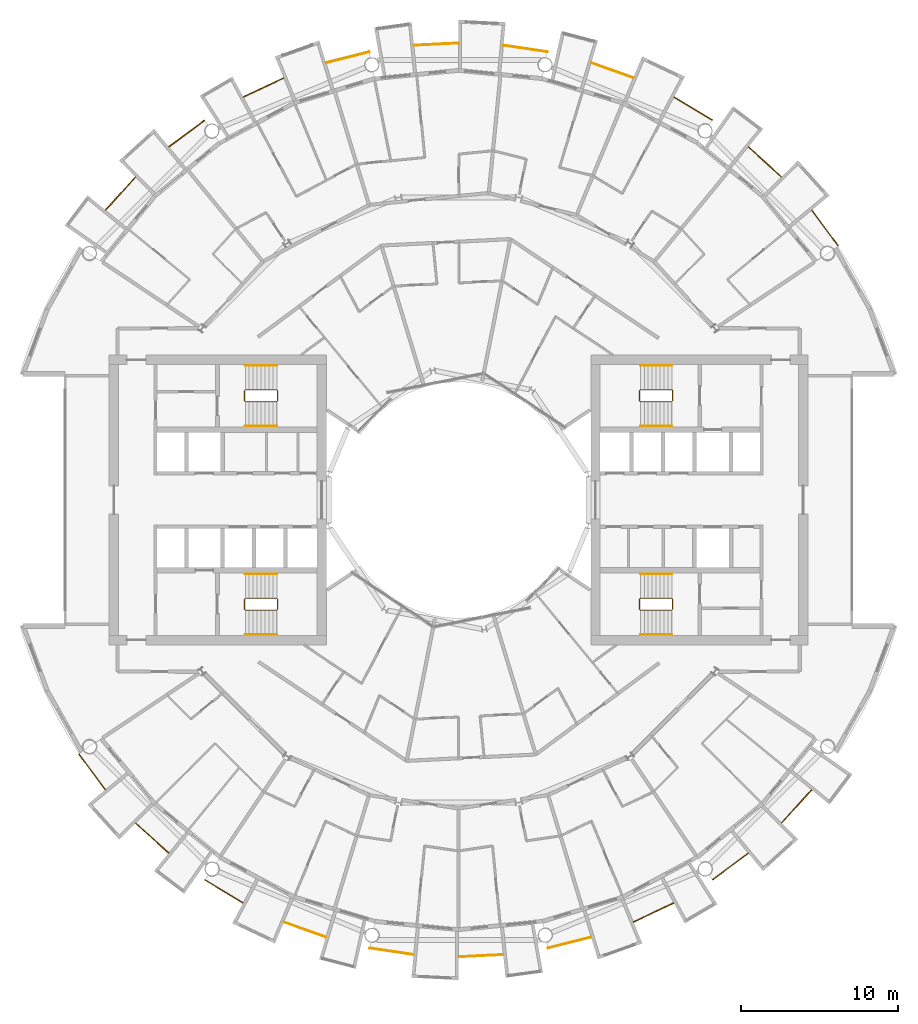
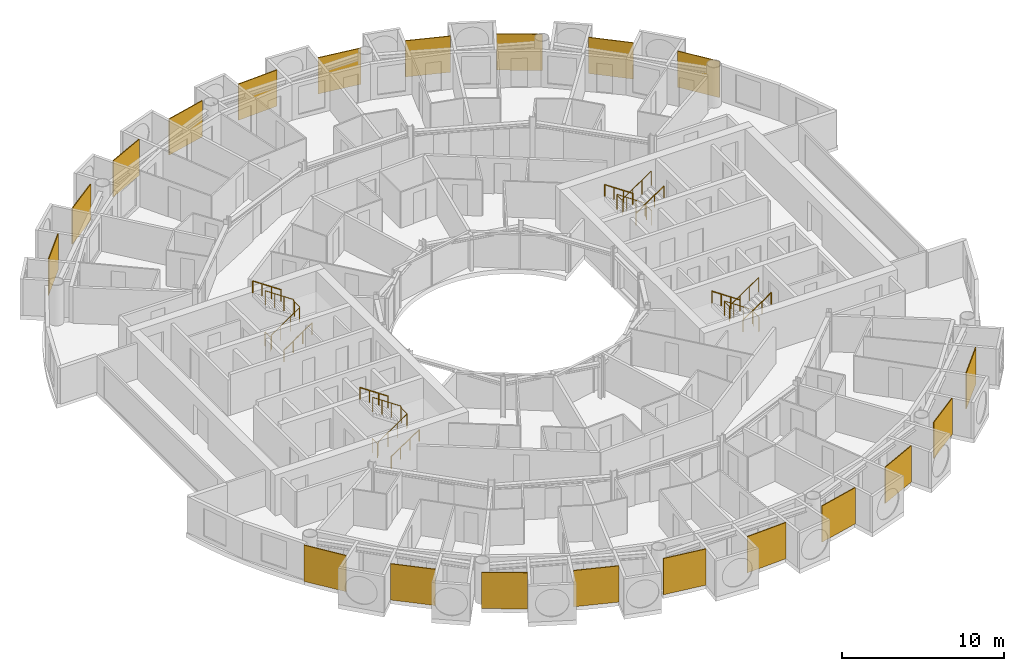
# One storey, part 26 of 26: 32 railings.
"""IFC4 building model written with IfcOpenShell, lengths in metres."""

from ifc_helpers import new_model, si_unit, direction, frame, origin, origin_2d, place, context, subcontext, project, spatial, polyline, circle, outline, extrude, material, layer, layer_set, type_object, element, save


model = new_model("IFC4")

# Units and contexts
model_context = context("Model", 3, precision=1e-05, world=origin(), true_north=direction((0.0, 1.0)))
body_context = subcontext(model_context, "Body", "Model", "MODEL_VIEW")
ifc_project = project(units=[si_unit("LENGTHUNIT", "METRE"), si_unit("AREAUNIT", "SQUARE_METRE"), si_unit("VOLUMEUNIT", "CUBIC_METRE"), si_unit("PLANEANGLEUNIT", "RADIAN"), si_unit("MASSUNIT", "GRAM", prefix="KILO")], contexts=[model_context])

# Site, building, storey
site_placement = place(None, origin())
site = spatial("IfcSite", under=ifc_project, at=site_placement, CompositionType="ELEMENT")
building_placement = place(site_placement, origin())
building = spatial("IfcBuilding", under=site, at=building_placement, Name="Maasbend Ring Residences", CompositionType="ELEMENT")
storey_placement = place(building_placement, frame((0.0, 0.0, 123.85009765625)))
storey = spatial("IfcBuildingStorey", under=building, at=storey_placement, Name="L35", CompositionType="ELEMENT", Elevation=123.85009765625)

# Railings
ifc_material_1 = material(Name="Pale anodised perforated aluminium", Category="aluminium")
ifc_layer = layer(ifc_material_1, 0.06005859375)
ifc_layer_set = layer_set([ifc_layer], Name="SCREEN-P")
railing_type_1 = type_object("IfcRailingType", Name="SCREEN-P", PredefinedType="GUARDRAIL", material=ifc_layer_set)
railing_1_placement = place(storey_placement, frame((0.0, 0.0, -0.030029296875)))
element("IfcRailing", 1, at=railing_1_placement, inside=storey, type_object=railing_type_1, Name="Perforated screen guard 1", PredefinedType="GUARDRAIL", context=body_context, shape_type="SweptSolid", body=[
    extrude(outline(polyline([(24.113037109375, 16.112060546875), (22.4169921875, 18.39697265625), (22.465087890625, 18.43310546875), (24.160888671875, 16.14697265625), (24.113037109375, 16.112060546875)])), origin(), (0.0, 0.0, 1.0), 2.72998046875),
])
railing_2_placement = place(storey_placement, frame((0.0, 0.0, -0.030029296875)))
element("IfcRailing", 2, at=railing_2_placement, inside=storey, type_object=railing_type_1, Name="Perforated screen guard 2", PredefinedType="GUARDRAIL", context=body_context, shape_type="SweptSolid", body=[
    extrude(outline(polyline([(20.506103515625, 20.506103515625), (18.39697265625, 22.4169921875), (18.43798828125, 22.4619140625), (20.5458984375, 20.551025390625), (20.506103515625, 20.506103515625)])), origin(), (0.0, 0.0, 1.0), 2.72998046875),
])
railing_3_placement = place(storey_placement, frame((0.0, 0.0, -0.030029296875)))
element("IfcRailing", 3, at=railing_3_placement, inside=storey, type_object=railing_type_1, Name="Perforated screen guard 3", PredefinedType="GUARDRAIL", context=body_context, shape_type="SweptSolid", body=[
    extrude(outline(polyline([(16.112060546875, 24.113037109375), (13.6708984375, 25.575927734375), (13.700927734375, 25.626953125), (16.14208984375, 24.1640625), (16.112060546875, 24.113037109375)])), origin(), (0.0, 0.0, 1.0), 2.72998046875),
])
railing_4_placement = place(storey_placement, frame((0.0, 0.0, -0.030029296875)))
element("IfcRailing", 4, at=railing_4_placement, inside=storey, type_object=railing_type_1, Name="Perforated screen guard 4", PredefinedType="GUARDRAIL", context=body_context, shape_type="SweptSolid", body=[
    extrude(outline(polyline([(11.097900390625, 26.79296875), (8.41796875, 27.7509765625), (8.43798828125, 27.80810546875), (11.117919921875, 26.84912109375), (11.097900390625, 26.79296875)])), origin(), (0.0, 0.0, 1.0), 2.72998046875),
])
railing_5_placement = place(storey_placement, frame((0.0, 0.0, -0.030029296875)))
element("IfcRailing", 5, at=railing_5_placement, inside=storey, type_object=railing_type_1, Name="Perforated screen guard 5", PredefinedType="GUARDRAIL", context=body_context, shape_type="SweptSolid", body=[
    extrude(outline(polyline([(5.657958984375, 28.443115234375), (2.842041015625, 28.860107421875), (2.85107421875, 28.919921875), (5.666015625, 28.501953125), (5.657958984375, 28.443115234375)])), origin(), (0.0, 0.0, 1.0), 2.72998046875),
])
railing_6_placement = place(storey_placement, frame((0.0, 0.0, -0.030029296875)))
element("IfcRailing", 6, at=railing_6_placement, inside=storey, type_object=railing_type_1, Name="Perforated screen guard 6", PredefinedType="GUARDRAIL", context=body_context, shape_type="SweptSolid", body=[
    extrude(outline(polyline([(0.0, 29.0), (-2.842041015625, 28.860107421875), (-2.844970703125, 28.919921875), (-0.0029296875, 29.06005859375), (0.0, 29.0)])), origin(), (0.0, 0.0, 1.0), 2.72998046875),
])
railing_7_placement = place(storey_placement, frame((0.0, 0.0, -0.030029296875)))
element("IfcRailing", 7, at=railing_7_placement, inside=storey, type_object=railing_type_1, Name="Perforated screen guard 7", PredefinedType="GUARDRAIL", context=body_context, shape_type="SweptSolid", body=[
    extrude(outline(polyline([(-5.657958984375, 28.443115234375), (-8.41796875, 27.7509765625), (-8.43310546875, 27.80908203125), (-5.672119140625, 28.5009765625), (-5.657958984375, 28.443115234375)])), origin(), (0.0, 0.0, 1.0), 2.72998046875),
])
railing_8_placement = place(storey_placement, frame((0.0, 0.0, -0.030029296875)))
element("IfcRailing", 8, at=railing_8_placement, inside=storey, type_object=railing_type_1, Name="Perforated screen guard 8", PredefinedType="GUARDRAIL", context=body_context, shape_type="SweptSolid", body=[
    extrude(outline(polyline([(-11.097900390625, 26.79296875), (-13.6708984375, 25.575927734375), (-13.696044921875, 25.6298828125), (-11.123046875, 26.846923828125), (-11.097900390625, 26.79296875)])), origin(), (0.0, 0.0, 1.0), 2.72998046875),
])
railing_9_placement = place(storey_placement, frame((0.0, 0.0, -0.030029296875)))
element("IfcRailing", 9, at=railing_9_placement, inside=storey, type_object=railing_type_1, Name="Perforated screen guard 9", PredefinedType="GUARDRAIL", context=body_context, shape_type="SweptSolid", body=[
    extrude(outline(polyline([(-16.112060546875, 24.113037109375), (-18.39697265625, 22.4169921875), (-18.43310546875, 22.465087890625), (-16.14697265625, 24.160888671875), (-16.112060546875, 24.113037109375)])), origin(), (0.0, 0.0, 1.0), 2.72998046875),
])
railing_10_placement = place(storey_placement, frame((0.0, 0.0, -0.030029296875)))
element("IfcRailing", 10, at=railing_10_placement, inside=storey, type_object=railing_type_1, Name="Perforated screen guard 10", PredefinedType="GUARDRAIL", context=body_context, shape_type="SweptSolid", body=[
    extrude(outline(polyline([(-20.506103515625, 20.506103515625), (-22.4169921875, 18.39697265625), (-22.4619140625, 18.43798828125), (-20.551025390625, 20.5458984375), (-20.506103515625, 20.506103515625)])), origin(), (0.0, 0.0, 1.0), 2.72998046875),
])
railing_11_placement = place(storey_placement, frame((0.0, 0.0, -0.030029296875)))
element("IfcRailing", 11, at=railing_11_placement, inside=storey, type_object=railing_type_1, Name="Perforated screen guard 1", PredefinedType="GUARDRAIL", context=body_context, shape_type="SweptSolid", body=[
    extrude(outline(polyline([(-24.113037109375, -16.112060546875), (-22.4169921875, -18.39697265625), (-22.465087890625, -18.43310546875), (-24.160888671875, -16.14697265625), (-24.113037109375, -16.112060546875)])), origin(), (0.0, 0.0, 1.0), 2.72998046875),
])
railing_12_placement = place(storey_placement, frame((0.0, 0.0, -0.030029296875)))
element("IfcRailing", 12, at=railing_12_placement, inside=storey, type_object=railing_type_1, Name="Perforated screen guard 2", PredefinedType="GUARDRAIL", context=body_context, shape_type="SweptSolid", body=[
    extrude(outline(polyline([(-20.506103515625, -20.506103515625), (-18.39697265625, -22.4169921875), (-18.43798828125, -22.4619140625), (-20.5458984375, -20.551025390625), (-20.506103515625, -20.506103515625)])), origin(), (0.0, 0.0, 1.0), 2.72998046875),
])
railing_13_placement = place(storey_placement, frame((0.0, 0.0, -0.030029296875)))
element("IfcRailing", 13, at=railing_13_placement, inside=storey, type_object=railing_type_1, Name="Perforated screen guard 3", PredefinedType="GUARDRAIL", context=body_context, shape_type="SweptSolid", body=[
    extrude(outline(polyline([(-16.112060546875, -24.113037109375), (-13.6708984375, -25.575927734375), (-13.700927734375, -25.626953125), (-16.14208984375, -24.1640625), (-16.112060546875, -24.113037109375)])), origin(), (0.0, 0.0, 1.0), 2.72998046875),
])
railing_14_placement = place(storey_placement, frame((0.0, 0.0, -0.030029296875)))
element("IfcRailing", 14, at=railing_14_placement, inside=storey, type_object=railing_type_1, Name="Perforated screen guard 4", PredefinedType="GUARDRAIL", context=body_context, shape_type="SweptSolid", body=[
    extrude(outline(polyline([(-11.097900390625, -26.79296875), (-8.41796875, -27.7509765625), (-8.43798828125, -27.80810546875), (-11.117919921875, -26.84912109375), (-11.097900390625, -26.79296875)])), origin(), (0.0, 0.0, 1.0), 2.72998046875),
])
railing_15_placement = place(storey_placement, frame((0.0, 0.0, -0.030029296875)))
element("IfcRailing", 15, at=railing_15_placement, inside=storey, type_object=railing_type_1, Name="Perforated screen guard 5", PredefinedType="GUARDRAIL", context=body_context, shape_type="SweptSolid", body=[
    extrude(outline(polyline([(-5.657958984375, -28.443115234375), (-2.842041015625, -28.860107421875), (-2.85107421875, -28.919921875), (-5.666015625, -28.501953125), (-5.657958984375, -28.443115234375)])), origin(), (0.0, 0.0, 1.0), 2.72998046875),
])
railing_16_placement = place(storey_placement, frame((0.0, 0.0, -0.030029296875)))
element("IfcRailing", 16, at=railing_16_placement, inside=storey, type_object=railing_type_1, Name="Perforated screen guard 6", PredefinedType="GUARDRAIL", context=body_context, shape_type="SweptSolid", body=[
    extrude(outline(polyline([(0.0, -29.0), (2.842041015625, -28.860107421875), (2.844970703125, -28.919921875), (0.0029296875, -29.06005859375), (0.0, -29.0)])), origin(), (0.0, 0.0, 1.0), 2.72998046875),
])
railing_17_placement = place(storey_placement, frame((0.0, 0.0, -0.030029296875)))
element("IfcRailing", 17, at=railing_17_placement, inside=storey, type_object=railing_type_1, Name="Perforated screen guard 7", PredefinedType="GUARDRAIL", context=body_context, shape_type="SweptSolid", body=[
    extrude(outline(polyline([(5.657958984375, -28.443115234375), (8.41796875, -27.7509765625), (8.43310546875, -27.80908203125), (5.672119140625, -28.5009765625), (5.657958984375, -28.443115234375)])), origin(), (0.0, 0.0, 1.0), 2.72998046875),
])
railing_18_placement = place(storey_placement, frame((0.0, 0.0, -0.030029296875)))
element("IfcRailing", 18, at=railing_18_placement, inside=storey, type_object=railing_type_1, Name="Perforated screen guard 8", PredefinedType="GUARDRAIL", context=body_context, shape_type="SweptSolid", body=[
    extrude(outline(polyline([(11.097900390625, -26.79296875), (13.6708984375, -25.575927734375), (13.696044921875, -25.6298828125), (11.123046875, -26.846923828125), (11.097900390625, -26.79296875)])), origin(), (0.0, 0.0, 1.0), 2.72998046875),
])
railing_19_placement = place(storey_placement, frame((0.0, 0.0, -0.030029296875)))
element("IfcRailing", 19, at=railing_19_placement, inside=storey, type_object=railing_type_1, Name="Perforated screen guard 9", PredefinedType="GUARDRAIL", context=body_context, shape_type="SweptSolid", body=[
    extrude(outline(polyline([(16.112060546875, -24.113037109375), (18.39697265625, -22.4169921875), (18.43310546875, -22.465087890625), (16.14697265625, -24.160888671875), (16.112060546875, -24.113037109375)])), origin(), (0.0, 0.0, 1.0), 2.72998046875),
])
railing_20_placement = place(storey_placement, frame((0.0, 0.0, -0.030029296875)))
element("IfcRailing", 20, at=railing_20_placement, inside=storey, type_object=railing_type_1, Name="Perforated screen guard 10", PredefinedType="GUARDRAIL", context=body_context, shape_type="SweptSolid", body=[
    extrude(outline(polyline([(20.506103515625, -20.506103515625), (22.4169921875, -18.39697265625), (22.4619140625, -18.43798828125), (20.551025390625, -20.5458984375), (20.506103515625, -20.506103515625)])), origin(), (0.0, 0.0, 1.0), 2.72998046875),
])
ifc_material_2 = material(Name="Stainless steel 316", Category="steel")
railing_type_2 = type_object("IfcRailingType", Name="STAIR GUARD 1100", PredefinedType="GUARDRAIL", material=ifc_material_2)
railing_21_placement = place(storey_placement, frame((13.60009765625, 6.300048828125, 0.0)))
element("IfcRailing", 21, at=railing_21_placement, inside=storey, type_object=railing_type_2, Name="L35 ST-E1 stair guard 1", PredefinedType="GUARDRAIL", context=body_context, shape_type="SweptSolid", body=[
    extrude(circle(Radius=0.02392578125, at=origin_2d()), frame((0.0, 0.0, 1.076171875), z_axis=(0.0, 1.0, 0.0), x_axis=(-1.0, 0.0, 0.0)), (0.0, 0.0, 1.0), 0.64990234375),
    extrude(circle(Radius=0.02392578125, at=origin_2d()), frame((0.0, 0.64990234375, 1.076171875), z_axis=(-0.272562526181, 0.272562526181, 0.92272386912), x_axis=(-0.707106781187, -0.707106781187, 0.0)), (0.0, 0.0, 1.0), 0.18359375),
    extrude(circle(Radius=0.02392578125, at=origin_2d()), frame((-0.050048828125, 0.699951171875, 1.24560546875), z_axis=(-0.827797584762, 0.0, 0.561026878735), x_axis=(0.0, -1.0, 0.0)), (0.0, 0.0, 1.0), 2.416015625),
    extrude(circle(Radius=0.02392578125, at=origin_2d()), frame((-2.050048828125, 0.699951171875, 2.60107421875), z_axis=(-0.707106781187, -0.707106781187, 0.0), x_axis=(0.707106781187, -0.707106781187, 0.0)), (0.0, 0.0, 1.0), 0.07080078125),
    extrude(circle(Radius=0.02392578125, at=origin_2d()), frame((-2.10009765625, 0.64990234375, 2.60107421875), z_axis=(0.0, -1.0, 0.0), x_axis=(1.0, 0.0, 0.0)), (0.0, 0.0, 1.0), 0.64990234375),
    extrude(circle(Radius=0.02392578125, at=origin_2d()), frame((-2.10009765625, 0.0, 2.60107421875), z_axis=(0.272562526181, -0.272562526181, 0.92272386912), x_axis=(0.707106781187, 0.707106781187, 0.0)), (0.0, 0.0, 1.0), 0.18359375),
    extrude(circle(Radius=0.02392578125, at=origin_2d()), frame((-2.050048828125, -0.050048828125, 2.7705078125), z_axis=(0.827797584762, 0.0, 0.561026878735), x_axis=(0.0, 1.0, 0.0)), (0.0, 0.0, 1.0), 2.416015625),
    extrude(circle(Radius=0.02099609375, at=origin_2d()), origin(), (0.0, 0.0, 1.0), 1.052001953125),
    extrude(circle(Radius=0.02099609375, at=origin_2d()), frame((0.0, 0.64990234375, 0.0)), (0.0, 0.0, 1.0), 1.052001953125),
    extrude(circle(Radius=0.02099609375, at=origin_2d()), frame((-0.050048828125, 0.699951171875, 0.16943359375)), (0.0, 0.0, 1.0), 1.052001953125),
    extrude(circle(Radius=0.02099609375, at=origin_2d()), frame((-0.716796875, 0.699951171875, 0.621337890625)), (0.0, 0.0, 1.0), 1.052001953125),
    extrude(circle(Radius=0.02099609375, at=origin_2d()), frame((-1.38330078125, 0.699951171875, 1.072998046875)), (0.0, 0.0, 1.0), 1.052001953125),
    extrude(circle(Radius=0.02099609375, at=origin_2d()), frame((-2.050048828125, 0.699951171875, 1.52490234375)), (0.0, 0.0, 1.0), 1.052001953125),
    extrude(circle(Radius=0.02099609375, at=origin_2d()), frame((-2.10009765625, 0.64990234375, 1.52490234375)), (0.0, 0.0, 1.0), 1.052001953125),
    extrude(circle(Radius=0.02099609375, at=origin_2d()), frame((-2.10009765625, 0.0, 1.52490234375)), (0.0, 0.0, 1.0), 1.052001953125),
    extrude(circle(Radius=0.02099609375, at=origin_2d()), frame((-2.050048828125, -0.050048828125, 1.6943359375)), (0.0, 0.0, 1.0), 1.052001953125),
    extrude(circle(Radius=0.02099609375, at=origin_2d()), frame((-1.38330078125, -0.050048828125, 2.146240234375)), (0.0, 0.0, 1.0), 1.052001953125),
    extrude(circle(Radius=0.02099609375, at=origin_2d()), frame((-0.716796875, -0.050048828125, 2.597900390625)), (0.0, 0.0, 1.0), 1.052001953125),
    extrude(circle(Radius=0.02099609375, at=origin_2d()), frame((-0.050048828125, -0.050048828125, 3.0498046875)), (0.0, 0.0, 1.0), 1.052001953125),
])
railing_22_placement = place(storey_placement, frame((13.60009765625, -6.949951171875, 0.0)))
element("IfcRailing", 22, at=railing_22_placement, inside=storey, type_object=railing_type_2, Name="L35 ST-E2 stair guard 1", PredefinedType="GUARDRAIL", context=body_context, shape_type="SweptSolid", body=[
    extrude(circle(Radius=0.02392578125, at=origin_2d()), frame((0.0, 0.0, 1.076171875), z_axis=(0.0, 1.0, 0.0), x_axis=(-1.0, 0.0, 0.0)), (0.0, 0.0, 1.0), 0.64990234375),
    extrude(circle(Radius=0.02392578125, at=origin_2d()), frame((0.0, 0.64990234375, 1.076171875), z_axis=(-0.272562526181, 0.272562526181, 0.92272386912), x_axis=(-0.707106781187, -0.707106781187, 0.0)), (0.0, 0.0, 1.0), 0.18359375),
    extrude(circle(Radius=0.02392578125, at=origin_2d()), frame((-0.050048828125, 0.699951171875, 1.24560546875), z_axis=(-0.827797584762, 0.0, 0.561026878735), x_axis=(0.0, -1.0, 0.0)), (0.0, 0.0, 1.0), 2.416015625),
    extrude(circle(Radius=0.02392578125, at=origin_2d()), frame((-2.050048828125, 0.699951171875, 2.60107421875), z_axis=(-0.707106781187, -0.707106781187, 0.0), x_axis=(0.707106781187, -0.707106781187, 0.0)), (0.0, 0.0, 1.0), 0.07080078125),
    extrude(circle(Radius=0.02392578125, at=origin_2d()), frame((-2.10009765625, 0.64990234375, 2.60107421875), z_axis=(0.0, -1.0, 0.0), x_axis=(1.0, 0.0, 0.0)), (0.0, 0.0, 1.0), 0.64990234375),
    extrude(circle(Radius=0.02392578125, at=origin_2d()), frame((-2.10009765625, 0.0, 2.60107421875), z_axis=(0.272562526181, -0.272562526181, 0.92272386912), x_axis=(0.707106781187, 0.707106781187, 0.0)), (0.0, 0.0, 1.0), 0.18359375),
    extrude(circle(Radius=0.02392578125, at=origin_2d()), frame((-2.050048828125, -0.050048828125, 2.7705078125), z_axis=(0.827797584762, 0.0, 0.561026878735), x_axis=(0.0, 1.0, 0.0)), (0.0, 0.0, 1.0), 2.416015625),
    extrude(circle(Radius=0.02099609375, at=origin_2d()), origin(), (0.0, 0.0, 1.0), 1.052001953125),
    extrude(circle(Radius=0.02099609375, at=origin_2d()), frame((0.0, 0.64990234375, 0.0)), (0.0, 0.0, 1.0), 1.052001953125),
    extrude(circle(Radius=0.02099609375, at=origin_2d()), frame((-0.050048828125, 0.699951171875, 0.16943359375)), (0.0, 0.0, 1.0), 1.052001953125),
    extrude(circle(Radius=0.02099609375, at=origin_2d()), frame((-0.716796875, 0.699951171875, 0.621337890625)), (0.0, 0.0, 1.0), 1.052001953125),
    extrude(circle(Radius=0.02099609375, at=origin_2d()), frame((-1.38330078125, 0.699951171875, 1.072998046875)), (0.0, 0.0, 1.0), 1.052001953125),
    extrude(circle(Radius=0.02099609375, at=origin_2d()), frame((-2.050048828125, 0.699951171875, 1.52490234375)), (0.0, 0.0, 1.0), 1.052001953125),
    extrude(circle(Radius=0.02099609375, at=origin_2d()), frame((-2.10009765625, 0.64990234375, 1.52490234375)), (0.0, 0.0, 1.0), 1.052001953125),
    extrude(circle(Radius=0.02099609375, at=origin_2d()), frame((-2.10009765625, 0.0, 1.52490234375)), (0.0, 0.0, 1.0), 1.052001953125),
    extrude(circle(Radius=0.02099609375, at=origin_2d()), frame((-2.050048828125, -0.050048828125, 1.6943359375)), (0.0, 0.0, 1.0), 1.052001953125),
    extrude(circle(Radius=0.02099609375, at=origin_2d()), frame((-1.38330078125, -0.050048828125, 2.146240234375)), (0.0, 0.0, 1.0), 1.052001953125),
    extrude(circle(Radius=0.02099609375, at=origin_2d()), frame((-0.716796875, -0.050048828125, 2.597900390625)), (0.0, 0.0, 1.0), 1.052001953125),
    extrude(circle(Radius=0.02099609375, at=origin_2d()), frame((-0.050048828125, -0.050048828125, 3.0498046875)), (0.0, 0.0, 1.0), 1.052001953125),
])
railing_23_placement = place(storey_placement, frame((-13.60009765625, -6.300048828125, 0.0)))
element("IfcRailing", 23, at=railing_23_placement, inside=storey, type_object=railing_type_2, Name="L35 ST-W1 stair guard 1", PredefinedType="GUARDRAIL", context=body_context, shape_type="SweptSolid", body=[
    extrude(circle(Radius=0.02392578125, at=origin_2d()), frame((0.0, 0.0, 1.076171875), z_axis=(0.0, -1.0, 0.0), x_axis=(1.0, 0.0, 0.0)), (0.0, 0.0, 1.0), 0.64990234375),
    extrude(circle(Radius=0.02392578125, at=origin_2d()), frame((0.0, -0.64990234375, 1.076171875), z_axis=(0.272562526181, -0.272562526181, 0.92272386912), x_axis=(0.707106781187, 0.707106781187, 0.0)), (0.0, 0.0, 1.0), 0.18359375),
    extrude(circle(Radius=0.02392578125, at=origin_2d()), frame((0.050048828125, -0.699951171875, 1.24560546875), z_axis=(0.827797584762, 0.0, 0.561026878735), x_axis=(0.0, 1.0, 0.0)), (0.0, 0.0, 1.0), 2.416015625),
    extrude(circle(Radius=0.02392578125, at=origin_2d()), frame((2.050048828125, -0.699951171875, 2.60107421875), z_axis=(0.707106781187, 0.707106781187, 0.0), x_axis=(-0.707106781187, 0.707106781187, 0.0)), (0.0, 0.0, 1.0), 0.07080078125),
    extrude(circle(Radius=0.02392578125, at=origin_2d()), frame((2.10009765625, -0.64990234375, 2.60107421875), z_axis=(0.0, 1.0, 0.0), x_axis=(-1.0, 0.0, 0.0)), (0.0, 0.0, 1.0), 0.64990234375),
    extrude(circle(Radius=0.02392578125, at=origin_2d()), frame((2.10009765625, 0.0, 2.60107421875), z_axis=(-0.272562526181, 0.272562526181, 0.92272386912), x_axis=(-0.707106781187, -0.707106781187, 0.0)), (0.0, 0.0, 1.0), 0.18359375),
    extrude(circle(Radius=0.02392578125, at=origin_2d()), frame((2.050048828125, 0.050048828125, 2.7705078125), z_axis=(-0.827797584762, 0.0, 0.561026878735), x_axis=(0.0, -1.0, 0.0)), (0.0, 0.0, 1.0), 2.416015625),
    extrude(circle(Radius=0.02099609375, at=origin_2d()), origin(), (0.0, 0.0, 1.0), 1.052001953125),
    extrude(circle(Radius=0.02099609375, at=origin_2d()), frame((0.0, -0.64990234375, 0.0)), (0.0, 0.0, 1.0), 1.052001953125),
    extrude(circle(Radius=0.02099609375, at=origin_2d()), frame((0.050048828125, -0.699951171875, 0.16943359375)), (0.0, 0.0, 1.0), 1.052001953125),
    extrude(circle(Radius=0.02099609375, at=origin_2d()), frame((0.716796875, -0.699951171875, 0.621337890625)), (0.0, 0.0, 1.0), 1.052001953125),
    extrude(circle(Radius=0.02099609375, at=origin_2d()), frame((1.38330078125, -0.699951171875, 1.072998046875)), (0.0, 0.0, 1.0), 1.052001953125),
    extrude(circle(Radius=0.02099609375, at=origin_2d()), frame((2.050048828125, -0.699951171875, 1.52490234375)), (0.0, 0.0, 1.0), 1.052001953125),
    extrude(circle(Radius=0.02099609375, at=origin_2d()), frame((2.10009765625, -0.64990234375, 1.52490234375)), (0.0, 0.0, 1.0), 1.052001953125),
    extrude(circle(Radius=0.02099609375, at=origin_2d()), frame((2.10009765625, 0.0, 1.52490234375)), (0.0, 0.0, 1.0), 1.052001953125),
    extrude(circle(Radius=0.02099609375, at=origin_2d()), frame((2.050048828125, 0.050048828125, 1.6943359375)), (0.0, 0.0, 1.0), 1.052001953125),
    extrude(circle(Radius=0.02099609375, at=origin_2d()), frame((1.38330078125, 0.050048828125, 2.146240234375)), (0.0, 0.0, 1.0), 1.052001953125),
    extrude(circle(Radius=0.02099609375, at=origin_2d()), frame((0.716796875, 0.050048828125, 2.597900390625)), (0.0, 0.0, 1.0), 1.052001953125),
    extrude(circle(Radius=0.02099609375, at=origin_2d()), frame((0.050048828125, 0.050048828125, 3.0498046875)), (0.0, 0.0, 1.0), 1.052001953125),
])
railing_24_placement = place(storey_placement, frame((-13.60009765625, 6.949951171875, 0.0)))
element("IfcRailing", 24, at=railing_24_placement, inside=storey, type_object=railing_type_2, Name="L35 ST-W2 stair guard 1", PredefinedType="GUARDRAIL", context=body_context, shape_type="SweptSolid", body=[
    extrude(circle(Radius=0.02392578125, at=origin_2d()), frame((0.0, 0.0, 1.076171875), z_axis=(0.0, -1.0, 0.0), x_axis=(1.0, 0.0, 0.0)), (0.0, 0.0, 1.0), 0.64990234375),
    extrude(circle(Radius=0.02392578125, at=origin_2d()), frame((0.0, -0.64990234375, 1.076171875), z_axis=(0.272562526181, -0.272562526181, 0.92272386912), x_axis=(0.707106781187, 0.707106781187, 0.0)), (0.0, 0.0, 1.0), 0.18359375),
    extrude(circle(Radius=0.02392578125, at=origin_2d()), frame((0.050048828125, -0.699951171875, 1.24560546875), z_axis=(0.827797584762, 0.0, 0.561026878735), x_axis=(0.0, 1.0, 0.0)), (0.0, 0.0, 1.0), 2.416015625),
    extrude(circle(Radius=0.02392578125, at=origin_2d()), frame((2.050048828125, -0.699951171875, 2.60107421875), z_axis=(0.707106781187, 0.707106781187, 0.0), x_axis=(-0.707106781187, 0.707106781187, 0.0)), (0.0, 0.0, 1.0), 0.07080078125),
    extrude(circle(Radius=0.02392578125, at=origin_2d()), frame((2.10009765625, -0.64990234375, 2.60107421875), z_axis=(0.0, 1.0, 0.0), x_axis=(-1.0, 0.0, 0.0)), (0.0, 0.0, 1.0), 0.64990234375),
    extrude(circle(Radius=0.02392578125, at=origin_2d()), frame((2.10009765625, 0.0, 2.60107421875), z_axis=(-0.272562526181, 0.272562526181, 0.92272386912), x_axis=(-0.707106781187, -0.707106781187, 0.0)), (0.0, 0.0, 1.0), 0.18359375),
    extrude(circle(Radius=0.02392578125, at=origin_2d()), frame((2.050048828125, 0.050048828125, 2.7705078125), z_axis=(-0.827797584762, 0.0, 0.561026878735), x_axis=(0.0, -1.0, 0.0)), (0.0, 0.0, 1.0), 2.416015625),
    extrude(circle(Radius=0.02099609375, at=origin_2d()), origin(), (0.0, 0.0, 1.0), 1.052001953125),
    extrude(circle(Radius=0.02099609375, at=origin_2d()), frame((0.0, -0.64990234375, 0.0)), (0.0, 0.0, 1.0), 1.052001953125),
    extrude(circle(Radius=0.02099609375, at=origin_2d()), frame((0.050048828125, -0.699951171875, 0.16943359375)), (0.0, 0.0, 1.0), 1.052001953125),
    extrude(circle(Radius=0.02099609375, at=origin_2d()), frame((0.716796875, -0.699951171875, 0.621337890625)), (0.0, 0.0, 1.0), 1.052001953125),
    extrude(circle(Radius=0.02099609375, at=origin_2d()), frame((1.38330078125, -0.699951171875, 1.072998046875)), (0.0, 0.0, 1.0), 1.052001953125),
    extrude(circle(Radius=0.02099609375, at=origin_2d()), frame((2.050048828125, -0.699951171875, 1.52490234375)), (0.0, 0.0, 1.0), 1.052001953125),
    extrude(circle(Radius=0.02099609375, at=origin_2d()), frame((2.10009765625, -0.64990234375, 1.52490234375)), (0.0, 0.0, 1.0), 1.052001953125),
    extrude(circle(Radius=0.02099609375, at=origin_2d()), frame((2.10009765625, 0.0, 1.52490234375)), (0.0, 0.0, 1.0), 1.052001953125),
    extrude(circle(Radius=0.02099609375, at=origin_2d()), frame((2.050048828125, 0.050048828125, 1.6943359375)), (0.0, 0.0, 1.0), 1.052001953125),
    extrude(circle(Radius=0.02099609375, at=origin_2d()), frame((1.38330078125, 0.050048828125, 2.146240234375)), (0.0, 0.0, 1.0), 1.052001953125),
    extrude(circle(Radius=0.02099609375, at=origin_2d()), frame((0.716796875, 0.050048828125, 2.597900390625)), (0.0, 0.0, 1.0), 1.052001953125),
    extrude(circle(Radius=0.02099609375, at=origin_2d()), frame((0.050048828125, 0.050048828125, 3.0498046875)), (0.0, 0.0, 1.0), 1.052001953125),
])
ifc_material_3 = material(Name="Stainless steel 316", Category="steel")
railing_type_3 = type_object("IfcRailingType", Name="STAIR HANDRAIL 900", PredefinedType="HANDRAIL", material=ifc_material_3)
railing_25_placement = place(storey_placement, frame((13.550048828125, 8.550048828125, 0.16943359375)))
element("IfcRailing", 25, at=railing_25_placement, inside=storey, type_object=railing_type_3, Name="L35 ST-E1 stair handrail 1", PredefinedType="HANDRAIL", context=body_context, shape_type="SweptSolid", body=[
    extrude(circle(Radius=0.02392578125, at=origin_2d()), frame((0.0, 0.0, 0.8759765625), z_axis=(-0.827797584762, 0.0, 0.561026878735), x_axis=(0.0, -1.0, 0.0)), (0.0, 0.0, 1.0), 2.416015625),
    extrude(circle(Radius=0.02099609375, at=origin_2d()), origin(), (0.0, 0.0, 1.0), 0.851806640625),
    extrude(circle(Radius=0.02099609375, at=origin_2d()), frame((-0.666748046875, 0.0, 0.451904296875)), (0.0, 0.0, 1.0), 0.851806640625),
    extrude(circle(Radius=0.02099609375, at=origin_2d()), frame((-1.333251953125, 0.0, 0.903564453125)), (0.0, 0.0, 1.0), 0.851806640625),
    extrude(circle(Radius=0.02099609375, at=origin_2d()), frame((-2.0, 0.0, 1.35546875)), (0.0, 0.0, 1.0), 0.851806640625),
])
railing_26_placement = place(storey_placement, frame((11.550048828125, 4.699951171875, 1.6943359375)))
element("IfcRailing", 26, at=railing_26_placement, inside=storey, type_object=railing_type_3, Name="L35 ST-E1 stair handrail 2", PredefinedType="HANDRAIL", context=body_context, shape_type="SweptSolid", body=[
    extrude(circle(Radius=0.02392578125, at=origin_2d()), frame((0.0, 0.0, 0.8759765625), z_axis=(0.827797584762, 0.0, 0.561026878735), x_axis=(0.0, 1.0, 0.0)), (0.0, 0.0, 1.0), 2.416015625),
    extrude(circle(Radius=0.02099609375, at=origin_2d()), origin(), (0.0, 0.0, 1.0), 0.851806640625),
    extrude(circle(Radius=0.02099609375, at=origin_2d()), frame((0.666748046875, 0.0, 0.451904296875)), (0.0, 0.0, 1.0), 0.851806640625),
    extrude(circle(Radius=0.02099609375, at=origin_2d()), frame((1.333251953125, 0.0, 0.903564453125)), (0.0, 0.0, 1.0), 0.851806640625),
    extrude(circle(Radius=0.02099609375, at=origin_2d()), frame((2.0, 0.0, 1.35546875)), (0.0, 0.0, 1.0), 0.851806640625),
])
railing_27_placement = place(storey_placement, frame((13.550048828125, -4.699951171875, 0.16943359375)))
element("IfcRailing", 27, at=railing_27_placement, inside=storey, type_object=railing_type_3, Name="L35 ST-E2 stair handrail 1", PredefinedType="HANDRAIL", context=body_context, shape_type="SweptSolid", body=[
    extrude(circle(Radius=0.02392578125, at=origin_2d()), frame((0.0, 0.0, 0.8759765625), z_axis=(-0.827797584762, 0.0, 0.561026878735), x_axis=(0.0, -1.0, 0.0)), (0.0, 0.0, 1.0), 2.416015625),
    extrude(circle(Radius=0.02099609375, at=origin_2d()), origin(), (0.0, 0.0, 1.0), 0.851806640625),
    extrude(circle(Radius=0.02099609375, at=origin_2d()), frame((-0.666748046875, 0.0, 0.451904296875)), (0.0, 0.0, 1.0), 0.851806640625),
    extrude(circle(Radius=0.02099609375, at=origin_2d()), frame((-1.333251953125, 0.0, 0.903564453125)), (0.0, 0.0, 1.0), 0.851806640625),
    extrude(circle(Radius=0.02099609375, at=origin_2d()), frame((-2.0, 0.0, 1.35546875)), (0.0, 0.0, 1.0), 0.851806640625),
])
for number, where, name in (
    (28, (11.550048828125, -8.550048828125, 1.6943359375), "L35 ST-E2 stair handrail 2"),
    (29, (-13.550048828125, -8.550048828125, 0.16943359375), "L35 ST-W1 stair handrail 1"),
):
    element("IfcRailing", number, at=place(storey_placement, frame(where)), inside=storey, type_object=railing_type_3, Name=name, PredefinedType="HANDRAIL", context=body_context, shape_type="SweptSolid", body=[
        extrude(circle(Radius=0.02392578125, at=origin_2d()), frame((0.0, 0.0, 0.8759765625), z_axis=(0.827797584762, 0.0, 0.561026878735), x_axis=(0.0, 1.0, 0.0)), (0.0, 0.0, 1.0), 2.416015625),
        extrude(circle(Radius=0.02099609375, at=origin_2d()), origin(), (0.0, 0.0, 1.0), 0.851806640625),
        extrude(circle(Radius=0.02099609375, at=origin_2d()), frame((0.666748046875, 0.0, 0.451904296875)), (0.0, 0.0, 1.0), 0.851806640625),
        extrude(circle(Radius=0.02099609375, at=origin_2d()), frame((1.333251953125, 0.0, 0.903564453125)), (0.0, 0.0, 1.0), 0.851806640625),
        extrude(circle(Radius=0.02099609375, at=origin_2d()), frame((2.0, 0.0, 1.35546875)), (0.0, 0.0, 1.0), 0.851806640625),
    ])
railing_28_placement = place(storey_placement, frame((-11.550048828125, -4.699951171875, 1.6943359375)))
element("IfcRailing", 30, at=railing_28_placement, inside=storey, type_object=railing_type_3, Name="L35 ST-W1 stair handrail 2", PredefinedType="HANDRAIL", context=body_context, shape_type="SweptSolid", body=[
    extrude(circle(Radius=0.02392578125, at=origin_2d()), frame((0.0, 0.0, 0.8759765625), z_axis=(-0.827797584762, 0.0, 0.561026878735), x_axis=(0.0, -1.0, 0.0)), (0.0, 0.0, 1.0), 2.416015625),
    extrude(circle(Radius=0.02099609375, at=origin_2d()), origin(), (0.0, 0.0, 1.0), 0.851806640625),
    extrude(circle(Radius=0.02099609375, at=origin_2d()), frame((-0.666748046875, 0.0, 0.451904296875)), (0.0, 0.0, 1.0), 0.851806640625),
    extrude(circle(Radius=0.02099609375, at=origin_2d()), frame((-1.333251953125, 0.0, 0.903564453125)), (0.0, 0.0, 1.0), 0.851806640625),
    extrude(circle(Radius=0.02099609375, at=origin_2d()), frame((-2.0, 0.0, 1.35546875)), (0.0, 0.0, 1.0), 0.851806640625),
])
railing_29_placement = place(storey_placement, frame((-13.550048828125, 4.699951171875, 0.16943359375)))
element("IfcRailing", 31, at=railing_29_placement, inside=storey, type_object=railing_type_3, Name="L35 ST-W2 stair handrail 1", PredefinedType="HANDRAIL", context=body_context, shape_type="SweptSolid", body=[
    extrude(circle(Radius=0.02392578125, at=origin_2d()), frame((0.0, 0.0, 0.8759765625), z_axis=(0.827797584762, 0.0, 0.561026878735), x_axis=(0.0, 1.0, 0.0)), (0.0, 0.0, 1.0), 2.416015625),
    extrude(circle(Radius=0.02099609375, at=origin_2d()), origin(), (0.0, 0.0, 1.0), 0.851806640625),
    extrude(circle(Radius=0.02099609375, at=origin_2d()), frame((0.666748046875, 0.0, 0.451904296875)), (0.0, 0.0, 1.0), 0.851806640625),
    extrude(circle(Radius=0.02099609375, at=origin_2d()), frame((1.333251953125, 0.0, 0.903564453125)), (0.0, 0.0, 1.0), 0.851806640625),
    extrude(circle(Radius=0.02099609375, at=origin_2d()), frame((2.0, 0.0, 1.35546875)), (0.0, 0.0, 1.0), 0.851806640625),
])
railing_30_placement = place(storey_placement, frame((-11.550048828125, 8.550048828125, 1.6943359375)))
element("IfcRailing", 32, at=railing_30_placement, inside=storey, type_object=railing_type_3, Name="L35 ST-W2 stair handrail 2", PredefinedType="HANDRAIL", context=body_context, shape_type="SweptSolid", body=[
    extrude(circle(Radius=0.02392578125, at=origin_2d()), frame((0.0, 0.0, 0.8759765625), z_axis=(-0.827797584762, 0.0, 0.561026878735), x_axis=(0.0, -1.0, 0.0)), (0.0, 0.0, 1.0), 2.416015625),
    extrude(circle(Radius=0.02099609375, at=origin_2d()), origin(), (0.0, 0.0, 1.0), 0.851806640625),
    extrude(circle(Radius=0.02099609375, at=origin_2d()), frame((-0.666748046875, 0.0, 0.451904296875)), (0.0, 0.0, 1.0), 0.851806640625),
    extrude(circle(Radius=0.02099609375, at=origin_2d()), frame((-1.333251953125, 0.0, 0.903564453125)), (0.0, 0.0, 1.0), 0.851806640625),
    extrude(circle(Radius=0.02099609375, at=origin_2d()), frame((-2.0, 0.0, 1.35546875)), (0.0, 0.0, 1.0), 0.851806640625),
])

save(model, "model.ifc")
